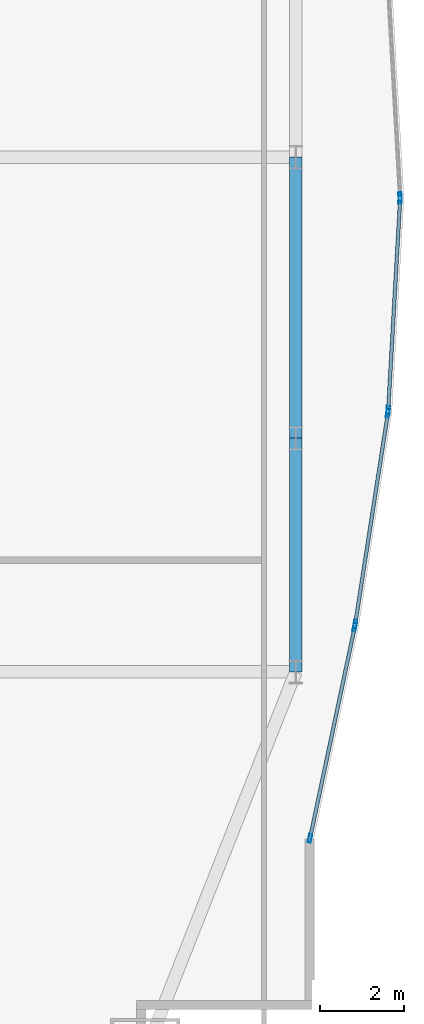
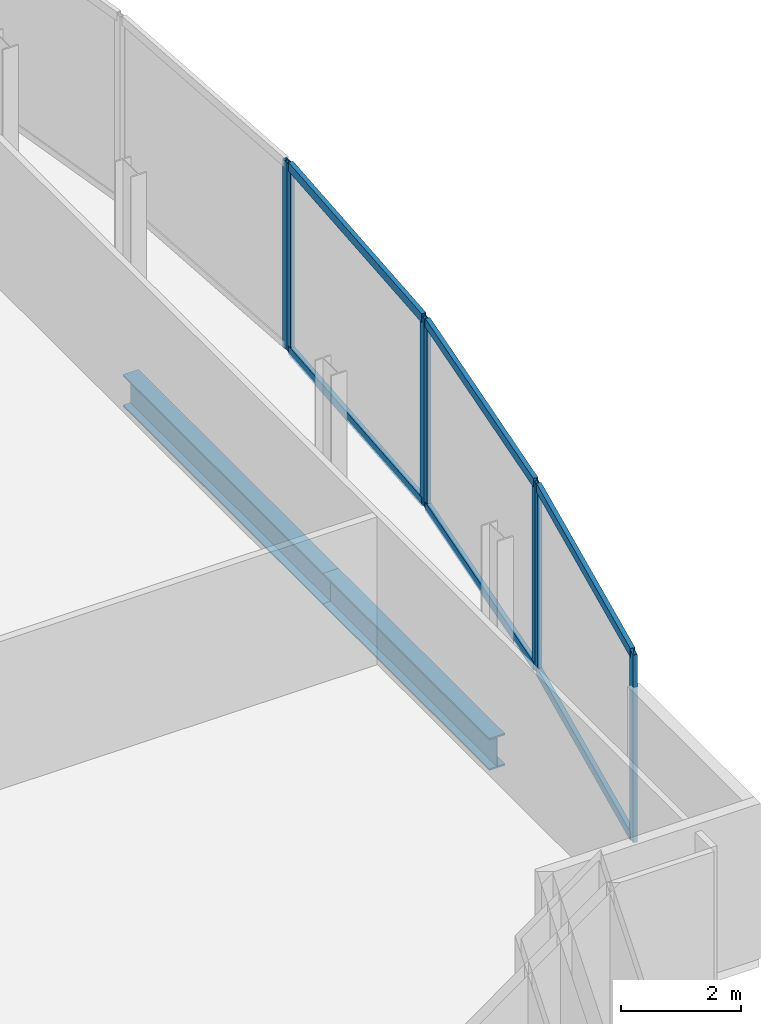
# One storey, part 22 of 35: 13 members, 2 beams, 4 elements without a shape of their own.
"""IFC4 building model written with IfcOpenShell, lengths in metres."""

from ifc_helpers import new_model, si_unit, direction, frame, origin, origin_2d, place, context, subcontext, project, spatial, hollow_rectangle, i_section, extrude, material, material_profile, profile_set, type_object, element, aggregate, save


model = new_model("IFC4")

# Units and contexts
model_context = context("Model", 3, precision=1e-05, world=origin(), true_north=direction((0.0, 1.0)))
body_context = subcontext(model_context, "Body", "Model", "MODEL_VIEW")
ifc_project = project(units=[si_unit("LENGTHUNIT", "METRE"), si_unit("AREAUNIT", "SQUARE_METRE"), si_unit("VOLUMEUNIT", "CUBIC_METRE"), si_unit("PLANEANGLEUNIT", "RADIAN"), si_unit("MASSUNIT", "GRAM", prefix="KILO")], contexts=[model_context])

# Site, building, storey
site_placement = place(None, origin())
site = spatial("IfcSite", under=ifc_project, at=site_placement, CompositionType="ELEMENT")
building_placement = place(site_placement, origin())
building = spatial("IfcBuilding", under=site, at=building_placement, Name="Khoronbel Lancet Exchange", CompositionType="ELEMENT")
storey_placement = place(building_placement, frame((0.0, 0.0, 53.800048828125)))
storey = spatial("IfcBuildingStorey", under=building, at=storey_placement, Name="L12", CompositionType="ELEMENT", Elevation=53.800048828125)

# Beams
ifc_material_1 = material(Name="Steel S355", Category="steel")
ifc_material_profile_1 = material_profile(ifc_material_1, i_section(OverallWidth=0.300048828125, OverallDepth=0.64990234375, WebThickness=0.01611328125, FlangeThickness=0.031005859375, at=origin_2d()), Name="HEB 650")
ifc_profile_set_1 = profile_set([ifc_material_profile_1], Name="Steel S355")
beam_type = type_object("IfcBeamType", Name="BM-BSP1", PredefinedType="SPANDREL", material=ifc_profile_set_1)
beam_1_placement = place(storey_placement, frame((71.6298828125, 19.199951171875, -0.505126953125), z_axis=(0.0, 1.0, 0.0), x_axis=(-1.0, 0.0, 0.0)))
element("IfcBeam", 1, at=beam_1_placement, inside=storey, type_object=beam_type, Name="Level L12 perimeter spandrel beam SP11", PredefinedType="SPANDREL", context=body_context, shape_type="SweptSolid", body=[
    extrude(i_section(OverallWidth=0.300048828125, OverallDepth=0.64990234375, WebThickness=0.01611328125, FlangeThickness=0.031005859375, at=origin_2d()), origin(), (0.0, 0.0, 1.0), 5.550048828125),
])
beam_2_placement = place(storey_placement, frame((71.6298828125, 24.75, -0.505126953125), z_axis=(0.0, 1.0, 0.0), x_axis=(-1.0, 0.0, 0.0)))
element("IfcBeam", 2, at=beam_2_placement, inside=storey, type_object=beam_type, Name="Level L12 perimeter spandrel beam SP12", PredefinedType="SPANDREL", context=body_context, shape_type="SweptSolid", body=[
    extrude(i_section(OverallWidth=0.300048828125, OverallDepth=0.64990234375, WebThickness=0.01611328125, FlangeThickness=0.031005859375, at=origin_2d()), origin(), (0.0, 0.0, 1.0), 6.675048828125),
])

# Curtain wall, member
ifc_material_2 = material(Name="Low-E Solar Control Insulating Glass", Category="glass")
curtain_wall_type = type_object("IfcCurtainWallType", Name="CW-4", PredefinedType="NOTDEFINED", material=ifc_material_2)
curtain_wall_1_placement = place(storey_placement, origin())
curtain_wall_1 = element("IfcCurtainWall", 3, at=curtain_wall_1_placement, inside=storey, type_object=curtain_wall_type, Name="Unitised curtain wall CW-L12-E19", PredefinedType="NOTDEFINED")
ifc_material_3 = material(Name="Bronze-Anodised Aluminium 6063-T6", Category="aluminium")
ifc_material_profile_2 = material_profile(ifc_material_3, hollow_rectangle(XDim=0.074951171875, YDim=0.199951171875, WallThickness=0.0048828125, at=origin_2d()), Name="ALU MULLION 75x200")
ifc_profile_set_2 = profile_set([ifc_material_profile_2], Name="Bronze-Anodised Aluminium 6063-T6")
member_type_1 = type_object("IfcMemberType", Name="MEM-CWM2", PredefinedType="MULLION", material=ifc_profile_set_2)
member_1_placement = place(storey_placement, frame((74.107666015625, 30.487548828125, 0.0), z_axis=(0.0, 0.0, 1.0), x_axis=(0.998398471263, 0.056572896157, 0.0)))
member_1 = element("IfcMember", 4, at=member_1_placement, type_object=member_type_1, Name="CW4 mullion 2", PredefinedType="MULLION", context=body_context, shape_type="SweptSolid", body=[
    extrude(hollow_rectangle(XDim=0.074951171875, YDim=0.199951171875, WallThickness=0.0048828125, at=origin_2d()), origin(), (0.0, 0.0, 1.0), 3.820068359375),
])
aggregate(curtain_wall_1, [member_1])

# Curtain wall, members
curtain_wall_2_placement = place(storey_placement, origin())
curtain_wall_2 = element("IfcCurtainWall", 5, at=curtain_wall_2_placement, inside=storey, type_object=curtain_wall_type, Name="Unitised curtain wall CW-L12-E20", PredefinedType="NOTDEFINED")
member_2_placement = place(storey_placement, frame((74.107666015625, 30.41259765625, 0.0), z_axis=(0.0, 0.0, 1.0), x_axis=(0.998398471263, -0.056572896157, 0.0)))
member_2 = element("IfcMember", 6, at=member_2_placement, type_object=member_type_1, Name="CW4 mullion 1", PredefinedType="MULLION", context=body_context, shape_type="SweptSolid", body=[
    extrude(hollow_rectangle(XDim=0.074951171875, YDim=0.199951171875, WallThickness=0.0048828125, at=origin_2d()), origin(), (0.0, 0.0, 1.0), 3.820068359375),
])
member_3_placement = place(storey_placement, frame((73.824462890625, 25.41357421875, 0.0), z_axis=(0.0, 0.0, 1.0), x_axis=(0.998398471263, -0.056572896157, 0.0)))
member_3 = element("IfcMember", 7, at=member_3_placement, type_object=member_type_1, Name="CW4 mullion 2", PredefinedType="MULLION", context=body_context, shape_type="SweptSolid", body=[
    extrude(hollow_rectangle(XDim=0.074951171875, YDim=0.199951171875, WallThickness=0.0048828125, at=origin_2d()), origin(), (0.0, 0.0, 1.0), 3.820068359375),
])

curtain_wall_3_placement = place(storey_placement, origin())
curtain_wall_3 = element("IfcCurtainWall", 8, at=curtain_wall_3_placement, inside=storey, type_object=curtain_wall_type, Name="Unitised curtain wall CW-L12-E21", PredefinedType="NOTDEFINED")
member_4_placement = place(storey_placement, frame((73.816650390625, 25.339111328125, 0.0), z_axis=(0.0, 0.0, 1.0), x_axis=(0.988225870473, -0.153002055303, 0.0)))
member_4 = element("IfcMember", 9, at=member_4_placement, type_object=member_type_1, Name="CW4 mullion 1", PredefinedType="MULLION", context=body_context, shape_type="SweptSolid", body=[
    extrude(hollow_rectangle(XDim=0.074951171875, YDim=0.199951171875, WallThickness=0.0048828125, at=origin_2d()), origin(), (0.0, 0.0, 1.0), 3.820068359375),
])
member_5_placement = place(storey_placement, frame((73.042236328125, 20.336669921875, 0.0), z_axis=(0.0, 0.0, 1.0), x_axis=(0.988225870473, -0.153002055303, 0.0)))
member_5 = element("IfcMember", 10, at=member_5_placement, type_object=member_type_1, Name="CW4 mullion 2", PredefinedType="MULLION", context=body_context, shape_type="SweptSolid", body=[
    extrude(hollow_rectangle(XDim=0.074951171875, YDim=0.199951171875, WallThickness=0.0048828125, at=origin_2d()), origin(), (0.0, 0.0, 1.0), 3.820068359375),
])

curtain_wall_4_placement = place(storey_placement, origin())
curtain_wall_4 = element("IfcCurtainWall", 11, at=curtain_wall_4_placement, inside=storey, type_object=curtain_wall_type, Name="Unitised curtain wall CW-L12-E22", PredefinedType="NOTDEFINED")
member_6_placement = place(storey_placement, frame((73.028564453125, 20.2626953125, 0.0), z_axis=(0.0, 0.0, 1.0), x_axis=(0.978363397148, -0.206893845051, 0.0)))
member_6 = element("IfcMember", 12, at=member_6_placement, type_object=member_type_1, Name="CW4 mullion 1", PredefinedType="MULLION", context=body_context, shape_type="SweptSolid", body=[
    extrude(hollow_rectangle(XDim=0.074951171875, YDim=0.199951171875, WallThickness=0.0048828125, at=origin_2d()), origin(), (0.0, 0.0, 1.0), 3.820068359375),
])
member_7_placement = place(storey_placement, frame((71.9677734375, 15.24609375, 0.0), z_axis=(0.0, 0.0, 1.0), x_axis=(0.978363397148, -0.206893845051, 0.0)))
member_7 = element("IfcMember", 13, at=member_7_placement, type_object=member_type_1, Name="CW4 mullion 2", PredefinedType="MULLION", context=body_context, shape_type="SweptSolid", body=[
    extrude(hollow_rectangle(XDim=0.074951171875, YDim=0.199951171875, WallThickness=0.0048828125, at=origin_2d()), origin(), (0.0, 0.0, 1.0), 3.820068359375),
])

# Member
ifc_material_profile_3 = material_profile(ifc_material_3, hollow_rectangle(XDim=0.0849609375, YDim=0.179931640625, WallThickness=0.0048828125, at=origin_2d()), Name="ALU TRANSOM 85x180")
ifc_profile_set_3 = profile_set([ifc_material_profile_3], Name="Bronze-Anodised Aluminium 6063-T6")
member_type_2 = type_object("IfcMemberType", Name="MEM-CWT1", PredefinedType="USERDEFINED", material=ifc_profile_set_3)
member_8_placement = place(storey_placement, frame((74.105712890625, 30.375, 0.04248046875), z_axis=(-0.056583141068, -0.998397890696, 0.0), x_axis=(0.998397890696, -0.056583141068, 0.0)))
member_8 = element("IfcMember", 14, at=member_8_placement, type_object=member_type_2, Name="CW4 transom 1.1", ObjectType="TRANSOM", PredefinedType="USERDEFINED", context=body_context, shape_type="SweptSolid", body=[
    extrude(hollow_rectangle(XDim=0.0849609375, YDim=0.179931640625, WallThickness=0.0048828125, at=origin_2d()), origin(), (0.0, 0.0, 1.0), 4.931640625),
])

member_9_placement = place(storey_placement, frame((74.105712890625, 30.375, 3.77734375), z_axis=(-0.056583141068, -0.998397890696, 0.0), x_axis=(0.998397890696, -0.056583141068, 0.0)))
member_9 = element("IfcMember", 15, at=member_9_placement, type_object=member_type_2, Name="CW4 transom 1.2", ObjectType="TRANSOM", PredefinedType="USERDEFINED", context=body_context, shape_type="SweptSolid", body=[
    extrude(hollow_rectangle(XDim=0.0849609375, YDim=0.179931640625, WallThickness=0.0048828125, at=origin_2d()), origin(), (0.0, 0.0, 1.0), 4.931640625),
])

aggregate(curtain_wall_2, [member_2, member_3, member_8, member_9])

member_10_placement = place(storey_placement, frame((73.81103515625, 25.302001953125, 0.04248046875), z_axis=(-0.153028255295, -0.988221813704, 0.0), x_axis=(0.988221813704, -0.153028255295, 0.0)))
member_10 = element("IfcMember", 16, at=member_10_placement, type_object=member_type_2, Name="CW4 transom 1.1", ObjectType="TRANSOM", PredefinedType="USERDEFINED", context=body_context, shape_type="SweptSolid", body=[
    extrude(hollow_rectangle(XDim=0.0849609375, YDim=0.179931640625, WallThickness=0.0048828125, at=origin_2d()), origin(), (0.0, 0.0, 1.0), 4.9873046875),
])

member_11_placement = place(storey_placement, frame((73.81103515625, 25.302001953125, 3.77734375), z_axis=(-0.153028255295, -0.988221813704, 0.0), x_axis=(0.988221813704, -0.153028255295, 0.0)))
member_11 = element("IfcMember", 17, at=member_11_placement, type_object=member_type_2, Name="CW4 transom 1.2", ObjectType="TRANSOM", PredefinedType="USERDEFINED", context=body_context, shape_type="SweptSolid", body=[
    extrude(hollow_rectangle(XDim=0.0849609375, YDim=0.179931640625, WallThickness=0.0048828125, at=origin_2d()), origin(), (0.0, 0.0, 1.0), 4.9873046875),
])

aggregate(curtain_wall_3, [member_4, member_5, member_10, member_11])

member_12_placement = place(storey_placement, frame((73.02099609375, 20.22607421875, 0.04248046875), z_axis=(-0.206901668426, -0.978361742712, 0.0), x_axis=(0.978361742712, -0.206901668426, 0.0)))
member_12 = element("IfcMember", 18, at=member_12_placement, type_object=member_type_2, Name="CW4 transom 1.1", ObjectType="TRANSOM", PredefinedType="USERDEFINED", context=body_context, shape_type="SweptSolid", body=[
    extrude(hollow_rectangle(XDim=0.0849609375, YDim=0.179931640625, WallThickness=0.0048828125, at=origin_2d()), origin(), (0.0, 0.0, 1.0), 5.052734375),
])

member_13_placement = place(storey_placement, frame((73.02099609375, 20.22607421875, 3.77734375), z_axis=(-0.206901668426, -0.978361742712, 0.0), x_axis=(0.978361742712, -0.206901668426, 0.0)))
member_13 = element("IfcMember", 19, at=member_13_placement, type_object=member_type_2, Name="CW4 transom 1.2", ObjectType="TRANSOM", PredefinedType="USERDEFINED", context=body_context, shape_type="SweptSolid", body=[
    extrude(hollow_rectangle(XDim=0.0849609375, YDim=0.179931640625, WallThickness=0.0048828125, at=origin_2d()), origin(), (0.0, 0.0, 1.0), 5.052734375),
])

aggregate(curtain_wall_4, [member_6, member_7, member_12, member_13])

save(model, "model.ifc")
